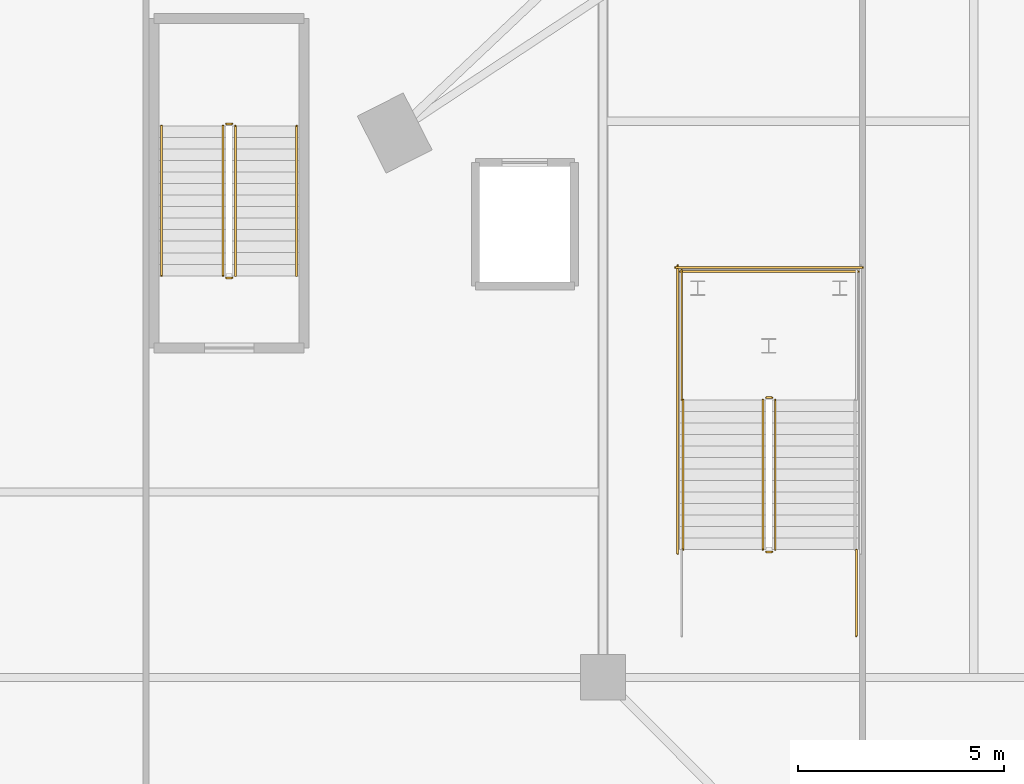
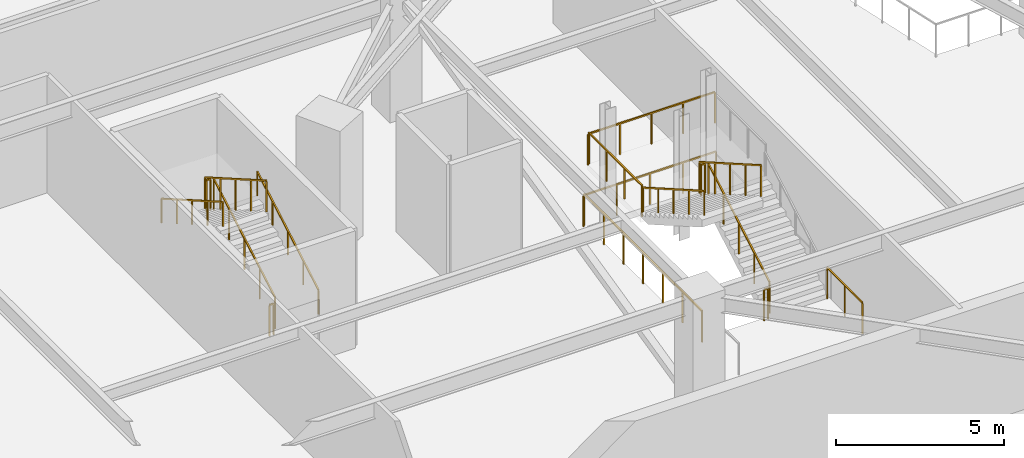
# One storey, part 15 of 19: 16 railings.
"""IFC4 building model written with IfcOpenShell, lengths in metres."""

from ifc_helpers import new_model, si_unit, direction, frame, origin, origin_2d, place, context, subcontext, project, spatial, rectangle, extrude, material, type_object, element, save


model = new_model("IFC4")

# Units and contexts
model_context = context("Model", 3, precision=1e-05, world=origin(), true_north=direction((0.0, 1.0)))
body_context = subcontext(model_context, "Body", "Model", "MODEL_VIEW")
ifc_project = project(units=[si_unit("LENGTHUNIT", "METRE"), si_unit("AREAUNIT", "SQUARE_METRE"), si_unit("VOLUMEUNIT", "CUBIC_METRE"), si_unit("PLANEANGLEUNIT", "RADIAN"), si_unit("MASSUNIT", "GRAM", prefix="KILO")], contexts=[model_context])

# Site, building, storey
site_placement = place(None, origin())
site = spatial("IfcSite", under=ifc_project, at=site_placement, CompositionType="ELEMENT")
building_placement = place(site_placement, origin())
building = spatial("IfcBuilding", under=site, at=building_placement, Name="Liaohun Quay Tower", CompositionType="ELEMENT")
storey_placement = place(building_placement, frame((0.0, 0.0, 9.89990234375)))
storey = spatial("IfcBuildingStorey", under=building, at=storey_placement, Name="L03", CompositionType="ELEMENT", Elevation=9.89990234375)

# Railings
ifc_material_1 = material(Name="Laminated safety glass and stainless steel", Category="steel")
railing_type_1 = type_object("IfcRailingType", Name="RLG-GUARD-ATR", PredefinedType="BALUSTRADE", material=ifc_material_1)
railing_1_placement = place(storey_placement, frame((46.179931640625, 27.10009765625, 0.160888671875)))
element("IfcRailing", 1, at=railing_1_placement, inside=storey, type_object=railing_type_1, Name="L03 ST-A stair guard 1", PredefinedType="BALUSTRADE", context=body_context, shape_type="SweptSolid", body=[
    extrude(rectangle(XDim=0.048095703125, YDim=0.048095703125, at=origin_2d()), frame((0.0, 0.0, 1.1259765625), z_axis=(0.0, 0.867300072446, 0.497785681127), x_axis=(-1.0, 0.0, 0.0)), (0.0, 0.0, 1.0), 4.19677734375),
    extrude(rectangle(XDim=0.0419921875, YDim=0.0419921875, at=origin_2d()), origin(), (0.0, 0.0, 1.0), 1.101806640625),
    extrude(rectangle(XDim=0.0419921875, YDim=0.0419921875, at=origin_2d()), frame((0.0, 0.909912109375, 0.522216796875)), (0.0, 0.0, 1.0), 1.101806640625),
    extrude(rectangle(XDim=0.0419921875, YDim=0.0419921875, at=origin_2d()), frame((0.0, 1.81982421875, 1.04443359375)), (0.0, 0.0, 1.0), 1.101806640625),
    extrude(rectangle(XDim=0.0419921875, YDim=0.0419921875, at=origin_2d()), frame((0.0, 2.72998046875, 1.56689453125)), (0.0, 0.0, 1.0), 1.101806640625),
    extrude(rectangle(XDim=0.0419921875, YDim=0.0419921875, at=origin_2d()), frame((0.0, 3.639892578125, 2.089111328125)), (0.0, 0.0, 1.0), 1.101806640625),
])
railing_2_placement = place(storey_placement, frame((46.10009765625, 30.7900390625, 2.25)))
element("IfcRailing", 2, at=railing_2_placement, inside=storey, type_object=railing_type_1, Name="L03 ST-A stair guard 2", PredefinedType="BALUSTRADE", context=body_context, shape_type="SweptSolid", body=[
    extrude(rectangle(XDim=0.048095703125, YDim=0.048095703125, at=origin_2d()), frame((0.0, 0.0, 1.1259765625), z_axis=(-1.0, 0.0, 0.0), x_axis=(0.0, -1.0, 0.0)), (0.0, 0.0, 1.0), 0.14013671875),
    extrude(rectangle(XDim=0.0419921875, YDim=0.0419921875, at=origin_2d()), origin(), (0.0, 0.0, 1.0), 1.101806640625),
    extrude(rectangle(XDim=0.0419921875, YDim=0.0419921875, at=origin_2d()), frame((-0.14013671875, 0.0, 0.0)), (0.0, 0.0, 1.0), 1.101806640625),
])
railing_3_placement = place(storey_placement, frame((43.909912109375, 30.739990234375, 2.25)))
element("IfcRailing", 3, at=railing_3_placement, inside=storey, type_object=railing_type_1, Name="L03 ST-A stair guard 4", PredefinedType="BALUSTRADE", context=body_context, shape_type="SweptSolid", body=[
    extrude(rectangle(XDim=0.048095703125, YDim=0.048095703125, at=origin_2d()), frame((0.0, 0.0, 1.1259765625), z_axis=(0.0, 1.0, 0.0), x_axis=(-1.0, 0.0, 0.0)), (0.0, 0.0, 1.0), 3.159912109375),
    extrude(rectangle(XDim=0.0419921875, YDim=0.0419921875, at=origin_2d()), origin(), (0.0, 0.0, 1.0), 1.101806640625),
    extrude(rectangle(XDim=0.0419921875, YDim=0.0419921875, at=origin_2d()), frame((0.0, 1.05322265625, 0.0)), (0.0, 0.0, 1.0), 1.101806640625),
    extrude(rectangle(XDim=0.0419921875, YDim=0.0419921875, at=origin_2d()), frame((0.0, 2.106689453125, 0.0)), (0.0, 0.0, 1.0), 1.101806640625),
    extrude(rectangle(XDim=0.0419921875, YDim=0.0419921875, at=origin_2d()), frame((0.0, 3.159912109375, 0.0)), (0.0, 0.0, 1.0), 1.101806640625),
])
railing_4_placement = place(storey_placement, frame((48.199951171875, 33.85009765625, 2.25)))
element("IfcRailing", 4, at=railing_4_placement, inside=storey, type_object=railing_type_1, Name="L03 ST-A stair guard 5", PredefinedType="BALUSTRADE", context=body_context, shape_type="SweptSolid", body=[
    extrude(rectangle(XDim=0.048095703125, YDim=0.048095703125, at=origin_2d()), frame((0.0, 0.0, 1.1259765625), z_axis=(-1.0, 0.0, 0.0), x_axis=(0.0, -1.0, 0.0)), (0.0, 0.0, 1.0), 4.33984375),
    extrude(rectangle(XDim=0.0419921875, YDim=0.0419921875, at=origin_2d()), origin(), (0.0, 0.0, 1.0), 1.101806640625),
    extrude(rectangle(XDim=0.0419921875, YDim=0.0419921875, at=origin_2d()), frame((-1.0849609375, 0.0, 0.0)), (0.0, 0.0, 1.0), 1.101806640625),
    extrude(rectangle(XDim=0.0419921875, YDim=0.0419921875, at=origin_2d()), frame((-2.169921875, 0.0, 0.0)), (0.0, 0.0, 1.0), 1.101806640625),
    extrude(rectangle(XDim=0.0419921875, YDim=0.0419921875, at=origin_2d()), frame((-3.2548828125, 0.0, 0.0)), (0.0, 0.0, 1.0), 1.101806640625),
    extrude(rectangle(XDim=0.0419921875, YDim=0.0419921875, at=origin_2d()), frame((-4.33984375, 0.0, 0.0)), (0.0, 0.0, 1.0), 1.101806640625),
])
railing_5_placement = place(storey_placement, frame((45.8798828125, 30.739990234375, 2.410888671875)))
element("IfcRailing", 5, at=railing_5_placement, inside=storey, type_object=railing_type_1, Name="L03 ST-A stair guard 6", PredefinedType="BALUSTRADE", context=body_context, shape_type="SweptSolid", body=[
    extrude(rectangle(XDim=0.048095703125, YDim=0.048095703125, at=origin_2d()), frame((0.0, 0.0, 1.1259765625), z_axis=(0.0, -0.867300072446, 0.497785681127), x_axis=(1.0, 0.0, 0.0)), (0.0, 0.0, 1.0), 4.19677734375),
    extrude(rectangle(XDim=0.0419921875, YDim=0.0419921875, at=origin_2d()), origin(), (0.0, 0.0, 1.0), 1.101806640625),
    extrude(rectangle(XDim=0.0419921875, YDim=0.0419921875, at=origin_2d()), frame((0.0, -0.909912109375, 0.522216796875)), (0.0, 0.0, 1.0), 1.101806640625),
    extrude(rectangle(XDim=0.0419921875, YDim=0.0419921875, at=origin_2d()), frame((0.0, -1.81982421875, 1.04443359375)), (0.0, 0.0, 1.0), 1.101806640625),
    extrude(rectangle(XDim=0.0419921875, YDim=0.0419921875, at=origin_2d()), frame((0.0, -2.72998046875, 1.56689453125)), (0.0, 0.0, 1.0), 1.101806640625),
    extrude(rectangle(XDim=0.0419921875, YDim=0.0419921875, at=origin_2d()), frame((0.0, -3.639892578125, 2.089111328125)), (0.0, 0.0, 1.0), 1.101806640625),
])
railing_6_placement = place(storey_placement, frame((46.10009765625, 27.050048828125, 0.0)))
element("IfcRailing", 6, at=railing_6_placement, inside=storey, type_object=railing_type_1, Name="L03 ST-A stair guard 7", PredefinedType="BALUSTRADE", context=body_context, shape_type="SweptSolid", body=[
    extrude(rectangle(XDim=0.048095703125, YDim=0.048095703125, at=origin_2d()), frame((0.0, 0.0, 1.1259765625), z_axis=(-1.0, 0.0, 0.0), x_axis=(0.0, -1.0, 0.0)), (0.0, 0.0, 1.0), 0.14013671875),
    extrude(rectangle(XDim=0.0419921875, YDim=0.0419921875, at=origin_2d()), origin(), (0.0, 0.0, 1.0), 1.101806640625),
    extrude(rectangle(XDim=0.0419921875, YDim=0.0419921875, at=origin_2d()), frame((-0.14013671875, 0.0, 0.0)), (0.0, 0.0, 1.0), 1.101806640625),
])
railing_7_placement = place(storey_placement, frame((48.14990234375, 25.0, 0.0)))
element("IfcRailing", 7, at=railing_7_placement, inside=storey, type_object=railing_type_1, Name="L03 ST-A stair guard 8", PredefinedType="BALUSTRADE", context=body_context, shape_type="SweptSolid", body=[
    extrude(rectangle(XDim=0.048095703125, YDim=0.048095703125, at=origin_2d()), frame((0.0, 0.0, 1.1259765625), z_axis=(0.0, 1.0, 0.0), x_axis=(-1.0, 0.0, 0.0)), (0.0, 0.0, 1.0), 2.10009765625),
    extrude(rectangle(XDim=0.0419921875, YDim=0.0419921875, at=origin_2d()), origin(), (0.0, 0.0, 1.0), 1.101806640625),
    extrude(rectangle(XDim=0.0419921875, YDim=0.0419921875, at=origin_2d()), frame((0.0, 1.050048828125, 0.0)), (0.0, 0.0, 1.0), 1.101806640625),
    extrude(rectangle(XDim=0.0419921875, YDim=0.0419921875, at=origin_2d()), frame((0.0, 2.10009765625, 0.0)), (0.0, 0.0, 1.0), 1.101806640625),
])
railing_8_placement = place(storey_placement, frame((43.81005859375, 27.0, 0.0)))
element("IfcRailing", 8, at=railing_8_placement, inside=storey, type_object=railing_type_1, Name="L03 ST-A stair guard 11", PredefinedType="BALUSTRADE", context=body_context, shape_type="SweptSolid", body=[
    extrude(rectangle(XDim=0.048095703125, YDim=0.048095703125, at=origin_2d()), frame((0.0, 0.0, 1.1259765625), z_axis=(0.0, 1.0, 0.0), x_axis=(-1.0, 0.0, 0.0)), (0.0, 0.0, 1.0), 7.0),
    extrude(rectangle(XDim=0.0419921875, YDim=0.0419921875, at=origin_2d()), origin(), (0.0, 0.0, 1.0), 1.101806640625),
    extrude(rectangle(XDim=0.0419921875, YDim=0.0419921875, at=origin_2d()), frame((0.0, 1.166748046875, 0.0)), (0.0, 0.0, 1.0), 1.101806640625),
    extrude(rectangle(XDim=0.0419921875, YDim=0.0419921875, at=origin_2d()), frame((0.0, 2.333251953125, 0.0)), (0.0, 0.0, 1.0), 1.101806640625),
    extrude(rectangle(XDim=0.0419921875, YDim=0.0419921875, at=origin_2d()), frame((0.0, 3.5, 0.0)), (0.0, 0.0, 1.0), 1.101806640625),
    extrude(rectangle(XDim=0.0419921875, YDim=0.0419921875, at=origin_2d()), frame((0.0, 4.666748046875, 0.0)), (0.0, 0.0, 1.0), 1.101806640625),
    extrude(rectangle(XDim=0.0419921875, YDim=0.0419921875, at=origin_2d()), frame((0.0, 5.833251953125, 0.0)), (0.0, 0.0, 1.0), 1.101806640625),
    extrude(rectangle(XDim=0.0419921875, YDim=0.0419921875, at=origin_2d()), frame((0.0, 7.0, 0.0)), (0.0, 0.0, 1.0), 1.101806640625),
])
railing_9_placement = place(storey_placement, frame((48.300048828125, 33.949951171875, 0.0)))
element("IfcRailing", 9, at=railing_9_placement, inside=storey, type_object=railing_type_1, Name="L03 ST-A stair guard 12", PredefinedType="BALUSTRADE", context=body_context, shape_type="SweptSolid", body=[
    extrude(rectangle(XDim=0.048095703125, YDim=0.048095703125, at=origin_2d()), frame((0.0, 0.0, 1.1259765625), z_axis=(-1.0, 0.0, 0.0), x_axis=(0.0, -1.0, 0.0)), (0.0, 0.0, 1.0), 4.5400390625),
    extrude(rectangle(XDim=0.0419921875, YDim=0.0419921875, at=origin_2d()), origin(), (0.0, 0.0, 1.0), 1.101806640625),
    extrude(rectangle(XDim=0.0419921875, YDim=0.0419921875, at=origin_2d()), frame((-1.135009765625, 0.0, 0.0)), (0.0, 0.0, 1.0), 1.101806640625),
    extrude(rectangle(XDim=0.0419921875, YDim=0.0419921875, at=origin_2d()), frame((-2.27001953125, 0.0, 0.0)), (0.0, 0.0, 1.0), 1.101806640625),
    extrude(rectangle(XDim=0.0419921875, YDim=0.0419921875, at=origin_2d()), frame((-3.405029296875, 0.0, 0.0)), (0.0, 0.0, 1.0), 1.101806640625),
    extrude(rectangle(XDim=0.0419921875, YDim=0.0419921875, at=origin_2d()), frame((-4.5400390625, 0.0, 0.0)), (0.0, 0.0, 1.0), 1.101806640625),
])
ifc_material_2 = material(Name="Painted tubular steel", Category="steel")
railing_type_2 = type_object("IfcRailingType", Name="RLG-GUARD-STR", PredefinedType="GUARDRAIL", material=ifc_material_2)
railing_10_placement = place(storey_placement, frame((33.070068359375, 33.75, 0.160888671875)))
element("IfcRailing", 10, at=railing_10_placement, inside=storey, type_object=railing_type_2, Name="L03 ST-P1 stair guard 1", PredefinedType="GUARDRAIL", context=body_context, shape_type="SweptSolid", body=[
    extrude(rectangle(XDim=0.048095703125, YDim=0.048095703125, at=origin_2d()), frame((0.0, 0.0, 1.1259765625), z_axis=(0.0, 0.867300072446, 0.497785681127), x_axis=(-1.0, 0.0, 0.0)), (0.0, 0.0, 1.0), 4.19677734375),
    extrude(rectangle(XDim=0.0419921875, YDim=0.0419921875, at=origin_2d()), origin(), (0.0, 0.0, 1.0), 1.101806640625),
    extrude(rectangle(XDim=0.0419921875, YDim=0.0419921875, at=origin_2d()), frame((0.0, 0.909912109375, 0.522216796875)), (0.0, 0.0, 1.0), 1.101806640625),
    extrude(rectangle(XDim=0.0419921875, YDim=0.0419921875, at=origin_2d()), frame((0.0, 1.81982421875, 1.04443359375)), (0.0, 0.0, 1.0), 1.101806640625),
    extrude(rectangle(XDim=0.0419921875, YDim=0.0419921875, at=origin_2d()), frame((0.0, 2.72998046875, 1.56689453125)), (0.0, 0.0, 1.0), 1.101806640625),
    extrude(rectangle(XDim=0.0419921875, YDim=0.0419921875, at=origin_2d()), frame((0.0, 3.639892578125, 2.089111328125)), (0.0, 0.0, 1.0), 1.101806640625),
])
railing_11_placement = place(storey_placement, frame((32.989990234375, 37.43994140625, 2.25)))
element("IfcRailing", 11, at=railing_11_placement, inside=storey, type_object=railing_type_2, Name="L03 ST-P1 stair guard 2", PredefinedType="GUARDRAIL", context=body_context, shape_type="SweptSolid", body=[
    extrude(rectangle(XDim=0.048095703125, YDim=0.048095703125, at=origin_2d()), frame((0.0, 0.0, 1.1259765625), z_axis=(-1.0, 0.0, 0.0), x_axis=(0.0, -1.0, 0.0)), (0.0, 0.0, 1.0), 0.139892578125),
    extrude(rectangle(XDim=0.0419921875, YDim=0.0419921875, at=origin_2d()), origin(), (0.0, 0.0, 1.0), 1.101806640625),
    extrude(rectangle(XDim=0.0419921875, YDim=0.0419921875, at=origin_2d()), frame((-0.139892578125, 0.0, 0.0)), (0.0, 0.0, 1.0), 1.101806640625),
])
railing_12_placement = place(storey_placement, frame((32.77001953125, 37.389892578125, 2.410888671875)))
element("IfcRailing", 12, at=railing_12_placement, inside=storey, type_object=railing_type_2, Name="L03 ST-P1 stair guard 3", PredefinedType="GUARDRAIL", context=body_context, shape_type="SweptSolid", body=[
    extrude(rectangle(XDim=0.048095703125, YDim=0.048095703125, at=origin_2d()), frame((0.0, 0.0, 1.1259765625), z_axis=(0.0, -0.867300072446, 0.497785681127), x_axis=(1.0, 0.0, 0.0)), (0.0, 0.0, 1.0), 4.19677734375),
    extrude(rectangle(XDim=0.0419921875, YDim=0.0419921875, at=origin_2d()), origin(), (0.0, 0.0, 1.0), 1.101806640625),
    extrude(rectangle(XDim=0.0419921875, YDim=0.0419921875, at=origin_2d()), frame((0.0, -0.909912109375, 0.522216796875)), (0.0, 0.0, 1.0), 1.101806640625),
    extrude(rectangle(XDim=0.0419921875, YDim=0.0419921875, at=origin_2d()), frame((0.0, -1.81982421875, 1.04443359375)), (0.0, 0.0, 1.0), 1.101806640625),
    extrude(rectangle(XDim=0.0419921875, YDim=0.0419921875, at=origin_2d()), frame((0.0, -2.72998046875, 1.56689453125)), (0.0, 0.0, 1.0), 1.101806640625),
    extrude(rectangle(XDim=0.0419921875, YDim=0.0419921875, at=origin_2d()), frame((0.0, -3.639892578125, 2.089111328125)), (0.0, 0.0, 1.0), 1.101806640625),
])
railing_13_placement = place(storey_placement, frame((32.989990234375, 33.699951171875, 0.0)))
element("IfcRailing", 13, at=railing_13_placement, inside=storey, type_object=railing_type_2, Name="L03 ST-P1 stair guard 4", PredefinedType="GUARDRAIL", context=body_context, shape_type="SweptSolid", body=[
    extrude(rectangle(XDim=0.048095703125, YDim=0.048095703125, at=origin_2d()), frame((0.0, 0.0, 1.1259765625), z_axis=(-1.0, 0.0, 0.0), x_axis=(0.0, -1.0, 0.0)), (0.0, 0.0, 1.0), 0.139892578125),
    extrude(rectangle(XDim=0.0419921875, YDim=0.0419921875, at=origin_2d()), origin(), (0.0, 0.0, 1.0), 1.101806640625),
    extrude(rectangle(XDim=0.0419921875, YDim=0.0419921875, at=origin_2d()), frame((-0.139892578125, 0.0, 0.0)), (0.0, 0.0, 1.0), 1.101806640625),
])
ifc_material_3 = material(Name="Brushed stainless steel", Category="steel")
railing_type_3 = type_object("IfcRailingType", Name="RLG-HND-STR", PredefinedType="HANDRAIL", material=ifc_material_3)
railing_14_placement = place(storey_placement, frame((34.56005859375, 33.75, 0.160888671875)))
element("IfcRailing", 14, at=railing_14_placement, inside=storey, type_object=railing_type_3, Name="L03 ST-P1 stair handrail 1", PredefinedType="HANDRAIL", context=body_context, shape_type="SweptSolid", body=[
    extrude(rectangle(XDim=0.048095703125, YDim=0.048095703125, at=origin_2d()), frame((0.0, 0.0, 0.8759765625), z_axis=(0.0, 0.867300072446, 0.497785681127), x_axis=(-1.0, 0.0, 0.0)), (0.0, 0.0, 1.0), 4.19677734375),
    extrude(rectangle(XDim=0.0419921875, YDim=0.0419921875, at=origin_2d()), origin(), (0.0, 0.0, 1.0), 0.851806640625),
    extrude(rectangle(XDim=0.0419921875, YDim=0.0419921875, at=origin_2d()), frame((0.0, 0.909912109375, 0.522216796875)), (0.0, 0.0, 1.0), 0.851806640625),
    extrude(rectangle(XDim=0.0419921875, YDim=0.0419921875, at=origin_2d()), frame((0.0, 1.81982421875, 1.04443359375)), (0.0, 0.0, 1.0), 0.851806640625),
    extrude(rectangle(XDim=0.0419921875, YDim=0.0419921875, at=origin_2d()), frame((0.0, 2.72998046875, 1.56689453125)), (0.0, 0.0, 1.0), 0.851806640625),
    extrude(rectangle(XDim=0.0419921875, YDim=0.0419921875, at=origin_2d()), frame((0.0, 3.639892578125, 2.089111328125)), (0.0, 0.0, 1.0), 0.851806640625),
])
for number, where, name in (
    (15, (31.280029296875, 37.389892578125, 2.410888671875), "L03 ST-P1 stair handrail 2"),
    (16, (43.93994140625, 30.739990234375, 2.410888671875), "L03 ST-A stair handrail 2"),
):
    element("IfcRailing", number, at=place(storey_placement, frame(where)), inside=storey, type_object=railing_type_3, Name=name, PredefinedType="HANDRAIL", context=body_context, shape_type="SweptSolid", body=[
        extrude(rectangle(XDim=0.048095703125, YDim=0.048095703125, at=origin_2d()), frame((0.0, 0.0, 0.8759765625), z_axis=(0.0, -0.867300072446, 0.497785681127), x_axis=(1.0, 0.0, 0.0)), (0.0, 0.0, 1.0), 4.19677734375),
        extrude(rectangle(XDim=0.0419921875, YDim=0.0419921875, at=origin_2d()), origin(), (0.0, 0.0, 1.0), 0.851806640625),
        extrude(rectangle(XDim=0.0419921875, YDim=0.0419921875, at=origin_2d()), frame((0.0, -0.909912109375, 0.522216796875)), (0.0, 0.0, 1.0), 0.851806640625),
        extrude(rectangle(XDim=0.0419921875, YDim=0.0419921875, at=origin_2d()), frame((0.0, -1.81982421875, 1.04443359375)), (0.0, 0.0, 1.0), 0.851806640625),
        extrude(rectangle(XDim=0.0419921875, YDim=0.0419921875, at=origin_2d()), frame((0.0, -2.72998046875, 1.56689453125)), (0.0, 0.0, 1.0), 0.851806640625),
        extrude(rectangle(XDim=0.0419921875, YDim=0.0419921875, at=origin_2d()), frame((0.0, -3.639892578125, 2.089111328125)), (0.0, 0.0, 1.0), 0.851806640625),
    ])

save(model, "model.ifc")
